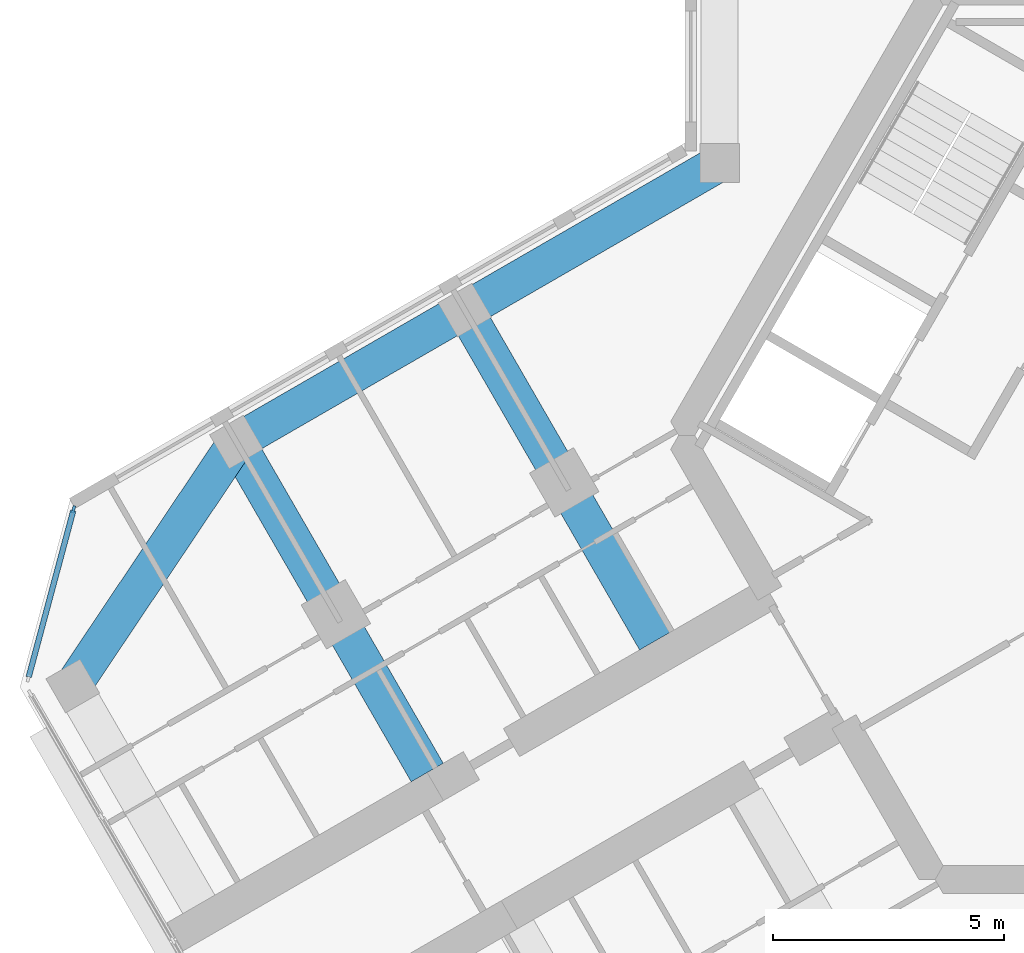
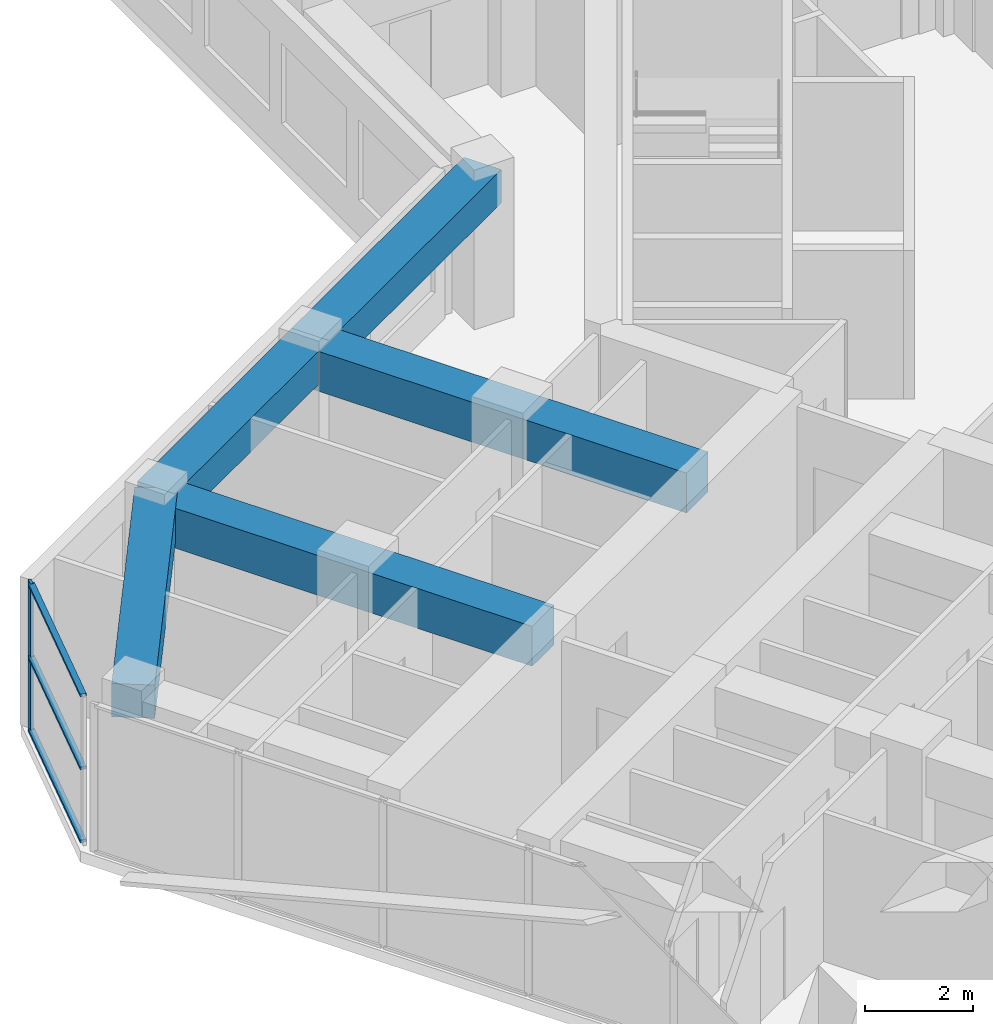
# One storey, part 3 of 16: 5 beams, 4 members, 1 element without a shape of its own.
"""IFC4 building model written with IfcOpenShell, lengths in metres."""

from ifc_helpers import new_model, si_unit, direction, frame, origin, origin_2d, place, context, subcontext, project, spatial, rectangle, extrude, material, material_profile, profile_set, type_object, element, aggregate, save


model = new_model("IFC4")

# Units and contexts
model_context = context("Model", 3, precision=1e-05, world=origin(), true_north=direction((0.0, 1.0)))
body_context = subcontext(model_context, "Body", "Model", "MODEL_VIEW")
ifc_project = project(units=[si_unit("LENGTHUNIT", "METRE"), si_unit("AREAUNIT", "SQUARE_METRE"), si_unit("VOLUMEUNIT", "CUBIC_METRE"), si_unit("PLANEANGLEUNIT", "RADIAN"), si_unit("MASSUNIT", "GRAM", prefix="KILO")], contexts=[model_context])

# Site, building, storey
site_placement = place(None, origin())
site = spatial("IfcSite", under=ifc_project, at=site_placement, CompositionType="ELEMENT")
building_placement = place(site_placement, origin())
building = spatial("IfcBuilding", under=site, at=building_placement, Name="Kosmar Iwan School Tower", CompositionType="ELEMENT")
storey_placement = place(building_placement, frame((0.0, 0.0, 253.199951171875)))
storey = spatial("IfcBuildingStorey", under=building, at=storey_placement, Name="L64", CompositionType="ELEMENT", Elevation=253.199951171875)

# Curtain wall, member
ifc_material_1 = material(Name="Dark glass in black aluminium frame", Category="aluminium")
curtain_wall_type = type_object("IfcCurtainWallType", Name="Chamfer curtain wall dark glass", PredefinedType="USERDEFINED", material=ifc_material_1)
curtain_wall_placement = place(storey_placement, origin())
curtain_wall = element("IfcCurtainWall", 1, at=curtain_wall_placement, inside=storey, type_object=curtain_wall_type, Name="Curtain wall L64-F10", ObjectType="FACETED CURTAIN WALL", PredefinedType="USERDEFINED")
ifc_material_2 = material(Name="Black anodised aluminium", Category="aluminium")
ifc_material_profile_1 = material_profile(ifc_material_2, rectangle(XDim=0.06005859375, YDim=0.159912109375, at=origin_2d()), Name="MULLION 60x160")
ifc_profile_set_1 = profile_set([ifc_material_profile_1], Name="Black anodised aluminium")
member_type_1 = type_object("IfcMemberType", Name="Mullion 60x160", PredefinedType="MULLION", material=ifc_profile_set_1)
member_1_placement = place(storey_placement, frame((-24.163818359375, -1.59814453125, 0.0), z_axis=(0.0, 0.0, 1.0), x_axis=(0.965925875495, -0.258818861462, 0.0)))
member_1 = element("IfcMember", 2, at=member_1_placement, type_object=member_type_1, Name="CW2 mullion 1", PredefinedType="MULLION", context=body_context, shape_type="SweptSolid", body=[
    extrude(rectangle(XDim=0.06005859375, YDim=0.159912109375, at=origin_2d()), origin(), (0.0, 0.0, 1.0), 3.35009765625),
])

# Beams
ifc_material_3 = material(Name="Concrete C50/60", Category="concrete")
ifc_material_profile_2 = material_profile(ifc_material_3, rectangle(XDim=0.800048828125, YDim=0.75, at=origin_2d()), Name="RC 800x750")
ifc_profile_set_2 = profile_set([ifc_material_profile_2], Name="Concrete C50/60")
beam_type_1 = type_object("IfcBeamType", Name="RC edge beam 800x750", PredefinedType="BEAM", material=ifc_profile_set_2)
beam_1_placement = place(storey_placement, frame((-10.199951171875, 5.888916015625, 2.97509765625), z_axis=(-0.866030912664, -0.49999045822, 0.0), x_axis=(0.49999045822, -0.866030912664, 0.0)))
element("IfcBeam", 3, at=beam_1_placement, inside=storey, type_object=beam_type_1, Name="Edge beam BR1", PredefinedType="BEAM", context=body_context, shape_type="SweptSolid", body=[
    extrude(rectangle(XDim=0.800048828125, YDim=0.75, at=origin_2d()), origin(), (0.0, 0.0, 1.0), 6.36083984375),
])
beam_2_placement = place(storey_placement, frame((-15.708740234375, 2.70849609375, 2.97509765625), z_axis=(-0.866025820012, -0.499999279071, 0.0), x_axis=(0.499999279071, -0.866025820012, 0.0)))
element("IfcBeam", 4, at=beam_2_placement, inside=storey, type_object=beam_type_1, Name="Edge beam BR2", PredefinedType="BEAM", context=body_context, shape_type="SweptSolid", body=[
    extrude(rectangle(XDim=0.800048828125, YDim=0.75, at=origin_2d()), origin(), (0.0, 0.0, 1.0), 5.7001953125),
])
ifc_material_4 = material(Name="Concrete C50/60", Category="concrete")
ifc_material_profile_3 = material_profile(ifc_material_4, rectangle(XDim=0.800048828125, YDim=0.75, at=origin_2d()), Name="RC 800x750")
ifc_profile_set_3 = profile_set([ifc_material_profile_3], Name="Concrete C50/60")
beam_type_2 = type_object("IfcBeamType", Name="RC tip beam 800x750", PredefinedType="BEAM", material=ifc_profile_set_3)
beam_3_placement = place(storey_placement, frame((-20.645263671875, -0.1416015625, 2.97509765625), z_axis=(-0.556827604145, -0.83062808721, 0.0), x_axis=(0.83062808721, -0.556827604145, 0.0)))
element("IfcBeam", 5, at=beam_3_placement, inside=storey, type_object=beam_type_2, Name="Tip beam BR", PredefinedType="BEAM", context=body_context, shape_type="SweptSolid", body=[
    extrude(rectangle(XDim=0.800048828125, YDim=0.75, at=origin_2d()), origin(), (0.0, 0.0, 1.0), 6.3505859375),
])
ifc_material_5 = material(Name="Concrete C50/60", Category="concrete")
ifc_material_profile_4 = material_profile(ifc_material_5, rectangle(XDim=0.800048828125, YDim=0.89990234375, at=origin_2d()), Name="RC 800x900")
ifc_profile_set_4 = profile_set([ifc_material_profile_4], Name="Concrete C50/60")
beam_type_3 = type_object("IfcBeamType", Name="RC transverse beam 800x900", PredefinedType="BEAM", material=ifc_profile_set_4)
beam_4_placement = place(storey_placement, frame((-15.708740234375, 2.70849609375, 2.900146484375), z_axis=(0.499996545922, -0.866027397988, 0.0), x_axis=(0.866027397988, 0.499996545922, 0.0)))
element("IfcBeam", 6, at=beam_4_placement, inside=storey, type_object=beam_type_3, Name="Transverse beam BR1", PredefinedType="BEAM", context=body_context, shape_type="SweptSolid", body=[
    extrude(rectangle(XDim=0.800048828125, YDim=0.89990234375, at=origin_2d()), origin(), (0.0, 0.0, 1.0), 8.25),
])
beam_5_placement = place(storey_placement, frame((-20.645263671875, -0.1416015625, 2.900146484375), z_axis=(0.500009360108, -0.866019999656, 0.0), x_axis=(0.866019999656, 0.500009360108, 0.0)))
element("IfcBeam", 7, at=beam_5_placement, inside=storey, type_object=beam_type_3, Name="Transverse beam BR2", PredefinedType="BEAM", context=body_context, shape_type="SweptSolid", body=[
    extrude(rectangle(XDim=0.800048828125, YDim=0.89990234375, at=origin_2d()), origin(), (0.0, 0.0, 1.0), 8.249755859375),
])

# Member
ifc_material_6 = material(Name="Black anodised aluminium", Category="aluminium")
ifc_material_profile_5 = material_profile(ifc_material_6, rectangle(XDim=0.1201171875, YDim=0.06005859375, at=origin_2d()), Name="TRANSOM 60x120")
ifc_profile_set_5 = profile_set([ifc_material_profile_5], Name="Black anodised aluminium")
member_type_2 = type_object("IfcMemberType", Name="Transom 60x120", PredefinedType="USERDEFINED", material=ifc_profile_set_5)
member_2_placement = place(storey_placement, frame((-24.17138671875, -1.627197265625, 0.030029296875), z_axis=(-0.258843273983, -0.965919333854, 0.0), x_axis=(0.965919333854, -0.258843273983, 0.0)))
member_2 = element("IfcMember", 8, at=member_2_placement, type_object=member_type_2, Name="CW2 transom 1.1", ObjectType="TRANSOM", PredefinedType="USERDEFINED", context=body_context, shape_type="SweptSolid", body=[
    extrude(rectangle(XDim=0.1201171875, YDim=0.06005859375, at=origin_2d()), origin(), (0.0, 0.0, 1.0), 3.718994140625),
])

member_3_placement = place(storey_placement, frame((-24.17138671875, -1.627197265625, 1.675048828125), z_axis=(-0.258843273983, -0.965919333854, 0.0), x_axis=(0.965919333854, -0.258843273983, 0.0)))
member_3 = element("IfcMember", 9, at=member_3_placement, type_object=member_type_2, Name="CW2 transom 1.2", ObjectType="TRANSOM", PredefinedType="USERDEFINED", context=body_context, shape_type="SweptSolid", body=[
    extrude(rectangle(XDim=0.1201171875, YDim=0.06005859375, at=origin_2d()), origin(), (0.0, 0.0, 1.0), 3.718994140625),
])

member_4_placement = place(storey_placement, frame((-24.17138671875, -1.627197265625, 3.320068359375), z_axis=(-0.258843273983, -0.965919333854, 0.0), x_axis=(0.965919333854, -0.258843273983, 0.0)))
member_4 = element("IfcMember", 10, at=member_4_placement, type_object=member_type_2, Name="CW2 transom 1.3", ObjectType="TRANSOM", PredefinedType="USERDEFINED", context=body_context, shape_type="SweptSolid", body=[
    extrude(rectangle(XDim=0.1201171875, YDim=0.06005859375, at=origin_2d()), origin(), (0.0, 0.0, 1.0), 3.718994140625),
])

aggregate(curtain_wall, [member_1, member_2, member_3, member_4])

save(model, "model.ifc")
